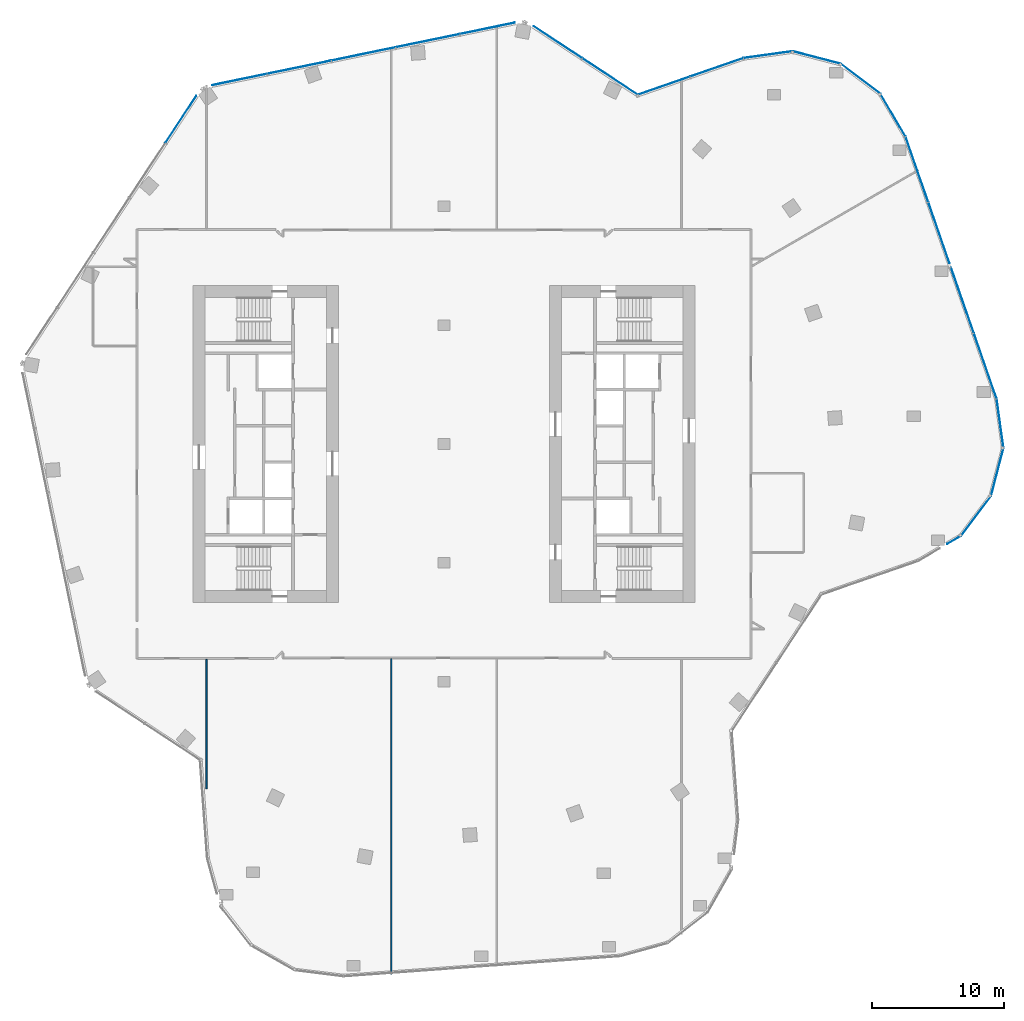
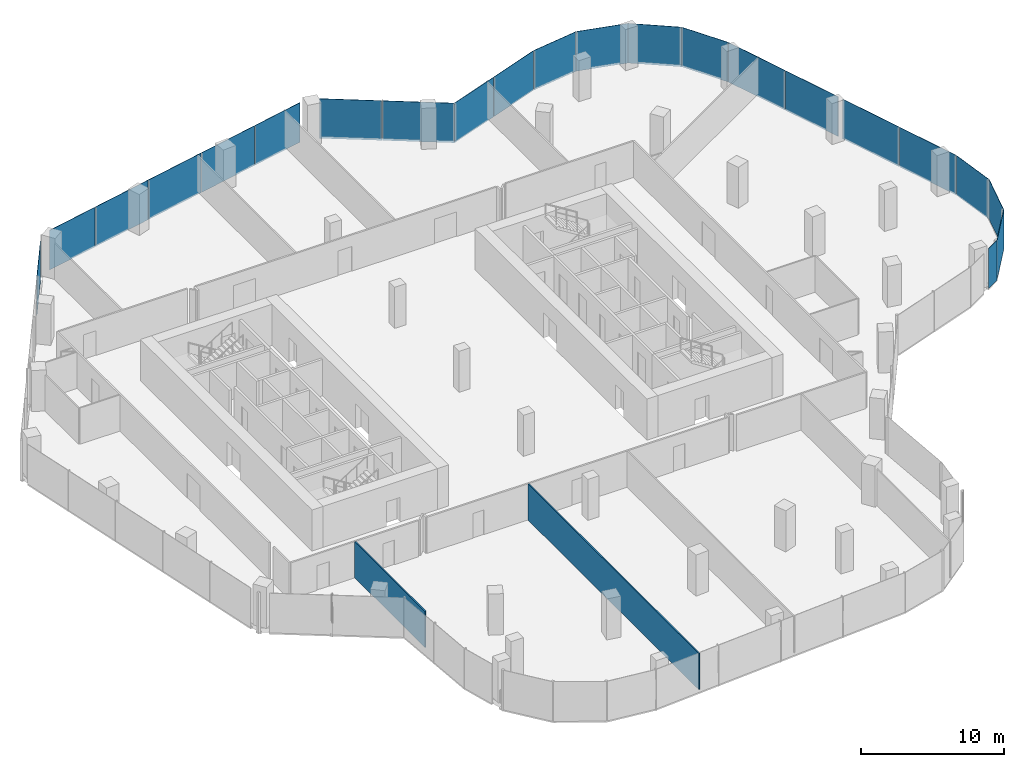
# One storey, part 17 of 24: 22 plates, 2 walls, 13 elements without a shape of their own.
"""IFC4 building model written with IfcOpenShell, lengths in metres."""

from ifc_helpers import new_model, si_unit, direction, frame, frame_2d, origin, origin_2d, place, context, subcontext, project, spatial, rectangle, extrude, material, layer, layer_set, type_object, element, aggregate, save


model = new_model("IFC4")

# Units and contexts
model_context = context("Model", 3, precision=1e-05, world=origin(), true_north=direction((0.0, 1.0)))
body_context = subcontext(model_context, "Body", "Model", "MODEL_VIEW")
ifc_project = project(units=[si_unit("LENGTHUNIT", "METRE"), si_unit("AREAUNIT", "SQUARE_METRE"), si_unit("VOLUMEUNIT", "CUBIC_METRE"), si_unit("PLANEANGLEUNIT", "RADIAN"), si_unit("MASSUNIT", "GRAM", prefix="KILO")], contexts=[model_context])

# Site, building, storey
site_placement = place(None, origin())
site = spatial("IfcSite", under=ifc_project, at=site_placement, CompositionType="ELEMENT")
building_placement = place(site_placement, origin())
building = spatial("IfcBuilding", under=site, at=building_placement, Name="Orlundy Tower", CompositionType="ELEMENT")
storey_placement = place(building_placement, frame((0.0, 0.0, 235.5)))
storey = spatial("IfcBuildingStorey", under=building, at=storey_placement, Name="L62", CompositionType="ELEMENT", Elevation=235.5)

# Curtain wall, plate
ifc_material_1 = material(Name="Aluminium bronze anodised", Category="aluminium")
curtain_wall_type = type_object("IfcCurtainWallType", Name="CW1 wall", PredefinedType="NOTDEFINED", material=ifc_material_1)
curtain_wall_1_placement = place(storey_placement, origin())
curtain_wall_1 = element("IfcCurtainWall", 1, at=curtain_wall_1_placement, inside=storey, type_object=curtain_wall_type, Name="CW1 run 015", PredefinedType="NOTDEFINED")
ifc_material_2 = material(Name="Tinted glass", Category="glass")
ifc_layer_1 = layer(ifc_material_2, 0.031982421875)
ifc_layer_set_1 = layer_set([ifc_layer_1], Name="CW1 glass panel 32")
plate_type = type_object("IfcPlateType", Name="CW1 glass panel 32", PredefinedType="CURTAIN_PANEL", material=ifc_layer_set_1)
plate_1_placement = place(storey_placement, frame((-19.9287109375, 24.592041015625, -0.280029296875), z_axis=(0.0, 0.0, 1.0), x_axis=(0.5495174705, 0.835482225793, 0.0)))
plate_1 = element("IfcPlate", 2, at=plate_1_placement, type_object=plate_type, Name="CW1 panel", PredefinedType="CURTAIN_PANEL", context=body_context, shape_type="SweptSolid", body=[
    extrude(rectangle(XDim=4.229248046875, YDim=0.031982421875, at=origin_2d()), origin(), (0.0, 0.0, 1.0), 3.3798828125),
])
aggregate(curtain_wall_1, [plate_1])

# Curtain wall, plates
curtain_wall_2_placement = place(storey_placement, origin())
curtain_wall_2 = element("IfcCurtainWall", 3, at=curtain_wall_2_placement, inside=storey, type_object=curtain_wall_type, Name="CW1 run 016", PredefinedType="NOTDEFINED")
plate_2_placement = place(storey_placement, frame((-15.496337890625, 27.60009765625, -0.280029296875), z_axis=(0.0, 0.0, 1.0), x_axis=(0.979337428215, 0.202233038095, 0.0)))
plate_2 = element("IfcPlate", 4, at=plate_2_placement, type_object=plate_type, Name="CW1 panel", PredefinedType="CURTAIN_PANEL", context=body_context, shape_type="SweptSolid", body=[
    extrude(rectangle(XDim=4.228271484375, YDim=0.031982421875, at=origin_2d()), origin(), (0.0, 0.0, 1.0), 3.3798828125),
])
plate_3_placement = place(storey_placement, frame((-10.967529296875, 28.535400390625, -0.280029296875), z_axis=(0.0, 0.0, 1.0), x_axis=(0.979337428215, 0.202233038095, 0.0)))
plate_3 = element("IfcPlate", 5, at=plate_3_placement, type_object=plate_type, Name="CW1 panel", PredefinedType="CURTAIN_PANEL", context=body_context, shape_type="SweptSolid", body=[
    extrude(rectangle(XDim=4.92041015625, YDim=0.031982421875, at=origin_2d()), origin(), (0.0, 0.0, 1.0), 3.3798828125),
])
plate_4_placement = place(storey_placement, frame((-6.099609375, 29.54052734375, -0.280029296875), z_axis=(0.0, 0.0, 1.0), x_axis=(0.979337428215, 0.202233038095, 0.0)))
plate_4 = element("IfcPlate", 6, at=plate_4_placement, type_object=plate_type, Name="CW1 panel", PredefinedType="CURTAIN_PANEL", context=body_context, shape_type="SweptSolid", body=[
    extrude(rectangle(XDim=4.92041015625, YDim=0.031982421875, at=origin_2d()), origin(), (0.0, 0.0, 1.0), 3.3798828125),
])
plate_5_placement = place(storey_placement, frame((-1.23193359375, 30.5458984375, -0.280029296875), z_axis=(0.0, 0.0, 1.0), x_axis=(0.979337428215, 0.202233038095, 0.0)))
plate_5 = element("IfcPlate", 7, at=plate_5_placement, type_object=plate_type, Name="CW1 panel", PredefinedType="CURTAIN_PANEL", context=body_context, shape_type="SweptSolid", body=[
    extrude(rectangle(XDim=4.92041015625, YDim=0.031982421875, at=origin_2d()), origin(), (0.0, 0.0, 1.0), 3.3798828125),
])
plate_6_placement = place(storey_placement, frame((3.297119140625, 31.48095703125, -0.280029296875), z_axis=(0.0, 0.0, 1.0), x_axis=(0.979337428215, 0.202233038095, 0.0)))
plate_6 = element("IfcPlate", 8, at=plate_6_placement, type_object=plate_type, Name="CW1 panel", PredefinedType="CURTAIN_PANEL", context=body_context, shape_type="SweptSolid", body=[
    extrude(rectangle(XDim=4.228759765625, YDim=0.031982421875, at=origin_2d()), origin(), (0.0, 0.0, 1.0), 3.3798828125),
])
aggregate(curtain_wall_2, [plate_2, plate_3, plate_4, plate_5, plate_6])

curtain_wall_3_placement = place(storey_placement, origin())
curtain_wall_3 = element("IfcCurtainWall", 9, at=curtain_wall_3_placement, inside=storey, type_object=curtain_wall_type, Name="CW1 run 017", PredefinedType="NOTDEFINED")
plate_7_placement = place(storey_placement, frame((8.620361328125, 30.43359375, -0.280029296875), z_axis=(0.0, 0.0, 1.0), x_axis=(0.835505597573, -0.549481934574, 0.0)))
plate_7 = element("IfcPlate", 10, at=plate_7_placement, type_object=plate_type, Name="CW1 panel", PredefinedType="CURTAIN_PANEL", context=body_context, shape_type="SweptSolid", body=[
    extrude(rectangle(XDim=4.37646484375, YDim=0.031982421875, at=origin_2d()), origin(), (0.0, 0.0, 1.0), 3.3798828125),
])
plate_8_placement = place(storey_placement, frame((12.58447265625, 27.82666015625, -0.280029296875), z_axis=(0.0, 0.0, 1.0), x_axis=(0.835505597573, -0.549481934574, 0.0)))
plate_8 = element("IfcPlate", 11, at=plate_8_placement, type_object=plate_type, Name="CW1 panel", PredefinedType="CURTAIN_PANEL", context=body_context, shape_type="SweptSolid", body=[
    extrude(rectangle(XDim=5.0126953125, YDim=0.031982421875, at=origin_2d()), origin(), (0.0, 0.0, 1.0), 3.3798828125),
])
aggregate(curtain_wall_3, [plate_7, plate_8])

curtain_wall_4_placement = place(storey_placement, origin())
curtain_wall_4 = element("IfcCurtainWall", 12, at=curtain_wall_4_placement, inside=storey, type_object=curtain_wall_type, Name="CW1 run 018", PredefinedType="NOTDEFINED")
plate_9_placement = place(storey_placement, frame((16.643310546875, 27.13232421875, -0.280029296875), z_axis=(0.0, 0.0, 1.0), x_axis=(0.94457424985, 0.328297862498, 0.0)))
plate_9 = element("IfcPlate", 13, at=plate_9_placement, type_object=plate_type, Name="CW1 panel", PredefinedType="CURTAIN_PANEL", context=body_context, shape_type="SweptSolid", body=[
    extrude(rectangle(XDim=4.16015625, YDim=0.031982421875, at=origin_2d()), origin(), (0.0, 0.0, 1.0), 3.3798828125),
])
plate_10_placement = place(storey_placement, frame((20.654052734375, 28.5263671875, -0.280029296875), z_axis=(0.0, 0.0, 1.0), x_axis=(0.94457424985, 0.328297862498, 0.0)))
plate_10 = element("IfcPlate", 14, at=plate_10_placement, type_object=plate_type, Name="CW1 panel", PredefinedType="CURTAIN_PANEL", context=body_context, shape_type="SweptSolid", body=[
    extrude(rectangle(XDim=4.23193359375, YDim=0.031982421875, at=origin_2d()), origin(), (0.0, 0.0, 1.0), 3.3798828125),
])
aggregate(curtain_wall_4, [plate_9, plate_10])

# Curtain wall, plate
curtain_wall_5_placement = place(storey_placement, origin())
curtain_wall_5 = element("IfcCurtainWall", 15, at=curtain_wall_5_placement, inside=storey, type_object=curtain_wall_type, Name="CW1 run 019", PredefinedType="NOTDEFINED")
plate_11_placement = place(storey_placement, frame((24.549072265625, 29.48974609375, -0.280029296875), z_axis=(0.0, 0.0, 1.0), x_axis=(0.99045548405, 0.137832993566, 0.0)))
plate_11 = element("IfcPlate", 16, at=plate_11_placement, type_object=plate_type, Name="CW1 panel", PredefinedType="CURTAIN_PANEL", context=body_context, shape_type="SweptSolid", body=[
    extrude(rectangle(XDim=3.73095703125, YDim=0.031982421875, at=origin_2d()), origin(), (0.0, 0.0, 1.0), 3.3798828125),
])
aggregate(curtain_wall_5, [plate_11])

curtain_wall_6_placement = place(storey_placement, origin())
curtain_wall_6 = element("IfcCurtainWall", 17, at=curtain_wall_6_placement, inside=storey, type_object=curtain_wall_type, Name="CW1 run 020", PredefinedType="NOTDEFINED")
plate_12_placement = place(storey_placement, frame((28.221923828125, 29.271728515625, -0.280029296875), z_axis=(0.0, 0.0, 1.0), x_axis=(0.967731773149, -0.251982569313, 0.0)))
plate_12 = element("IfcPlate", 18, at=plate_12_placement, type_object=plate_type, Name="CW1 panel", PredefinedType="CURTAIN_PANEL", context=body_context, shape_type="SweptSolid", body=[
    extrude(rectangle(XDim=3.77197265625, YDim=0.031982421875, at=origin_2d()), origin(), (0.0, 0.0, 1.0), 3.3798828125),
])
aggregate(curtain_wall_6, [plate_12])

curtain_wall_7_placement = place(storey_placement, origin())
curtain_wall_7 = element("IfcCurtainWall", 19, at=curtain_wall_7_placement, inside=storey, type_object=curtain_wall_type, Name="CW1 run 021", PredefinedType="NOTDEFINED")
plate_13_placement = place(storey_placement, frame((31.55126953125, 27.659423828125, -0.280029296875), z_axis=(0.0, 0.0, 1.0), x_axis=(0.797760617853, -0.602974291826, 0.0)))
plate_13 = element("IfcPlate", 20, at=plate_13_placement, type_object=plate_type, Name="CW1 panel", PredefinedType="CURTAIN_PANEL", context=body_context, shape_type="SweptSolid", body=[
    extrude(rectangle(XDim=3.771728515625, YDim=0.031982421875, at=origin_2d()), origin(), (0.0, 0.0, 1.0), 3.3798828125),
])
aggregate(curtain_wall_7, [plate_13])

curtain_wall_8_placement = place(storey_placement, origin())
curtain_wall_8 = element("IfcCurtainWall", 21, at=curtain_wall_8_placement, inside=storey, type_object=curtain_wall_type, Name="CW1 run 022", PredefinedType="NOTDEFINED")
plate_14_placement = place(storey_placement, frame((34.00048828125, 24.9140625, -0.280029296875), z_axis=(0.0, 0.0, 1.0), x_axis=(0.506418670322, -0.862287730604, 0.0)))
plate_14 = element("IfcPlate", 22, at=plate_14_placement, type_object=plate_type, Name="CW1 panel", PredefinedType="CURTAIN_PANEL", context=body_context, shape_type="SweptSolid", body=[
    extrude(rectangle(XDim=3.72998046875, YDim=0.031982421875, at=origin_2d()), origin(), (0.0, 0.0, 1.0), 3.3798828125),
])
aggregate(curtain_wall_8, [plate_14])

# Curtain wall, plates
curtain_wall_9_placement = place(storey_placement, origin())
curtain_wall_9 = element("IfcCurtainWall", 23, at=curtain_wall_9_placement, inside=storey, type_object=curtain_wall_type, Name="CW1 run 023", PredefinedType="NOTDEFINED")
plate_15_placement = place(storey_placement, frame((35.822021484375, 20.796875, -0.280029296875), z_axis=(0.0, 0.0, 1.0), x_axis=(0.328287898416, -0.944577712924, 0.0)))
plate_15 = element("IfcPlate", 24, at=plate_15_placement, type_object=plate_type, Name="CW1 panel", PredefinedType="CURTAIN_PANEL", context=body_context, shape_type="SweptSolid", body=[
    extrude(rectangle(XDim=5.216064453125, YDim=0.031982421875, at=origin_2d()), origin(), (0.0, 0.0, 1.0), 3.3798828125),
])
plate_16_placement = place(storey_placement, frame((37.49169921875, 15.9931640625, -0.280029296875), z_axis=(0.0, 0.0, 1.0), x_axis=(0.328287898416, -0.944577712924, 0.0)))
plate_16 = element("IfcPlate", 25, at=plate_16_placement, type_object=plate_type, Name="CW1 panel", PredefinedType="CURTAIN_PANEL", context=body_context, shape_type="SweptSolid", body=[
    extrude(rectangle(XDim=4.855224609375, YDim=0.031982421875, at=origin_2d()), origin(), (0.0, 0.0, 1.0), 3.3798828125),
])
plate_17_placement = place(storey_placement, frame((39.271728515625, 10.871337890625, -0.280029296875), z_axis=(0.0, 0.0, 1.0), x_axis=(0.328287898416, -0.944577712924, 0.0)))
plate_17 = element("IfcPlate", 26, at=plate_17_placement, type_object=plate_type, Name="CW1 panel", PredefinedType="CURTAIN_PANEL", context=body_context, shape_type="SweptSolid", body=[
    extrude(rectangle(XDim=5.199951171875, YDim=0.031982421875, at=origin_2d()), origin(), (0.0, 0.0, 1.0), 3.3798828125),
])
plate_18_placement = place(storey_placement, frame((40.997802734375, 5.90478515625, -0.280029296875), z_axis=(0.0, 0.0, 1.0), x_axis=(0.328287898416, -0.944577712924, 0.0)))
plate_18 = element("IfcPlate", 27, at=plate_18_placement, type_object=plate_type, Name="CW1 panel", PredefinedType="CURTAIN_PANEL", context=body_context, shape_type="SweptSolid", body=[
    extrude(rectangle(XDim=5.216064453125, YDim=0.031982421875, at=origin_2d()), origin(), (0.0, 0.0, 1.0), 3.3798828125),
])
aggregate(curtain_wall_9, [plate_15, plate_16, plate_17, plate_18])

# Curtain wall, plate
curtain_wall_10_placement = place(storey_placement, origin())
curtain_wall_10 = element("IfcCurtainWall", 28, at=curtain_wall_10_placement, inside=storey, type_object=curtain_wall_type, Name="CW1 run 024", PredefinedType="NOTDEFINED")
plate_19_placement = place(storey_placement, frame((42.122802734375, 1.544921875, -0.280029296875), z_axis=(0.0, 0.0, 1.0), x_axis=(0.137832993566, -0.99045548405, 0.0)))
plate_19 = element("IfcPlate", 29, at=plate_19_placement, type_object=plate_type, Name="CW1 panel", PredefinedType="CURTAIN_PANEL", context=body_context, shape_type="SweptSolid", body=[
    extrude(rectangle(XDim=3.73095703125, YDim=0.031982421875, at=origin_2d()), origin(), (0.0, 0.0, 1.0), 3.3798828125),
])
aggregate(curtain_wall_10, [plate_19])

curtain_wall_11_placement = place(storey_placement, origin())
curtain_wall_11 = element("IfcCurtainWall", 30, at=curtain_wall_11_placement, inside=storey, type_object=curtain_wall_type, Name="CW1 run 025", PredefinedType="NOTDEFINED")
plate_20_placement = place(storey_placement, frame((41.9052734375, -2.127685546875, -0.280029296875), z_axis=(0.0, 0.0, 1.0), x_axis=(-0.251729885218, -0.967797533004, 0.0)))
plate_20 = element("IfcPlate", 31, at=plate_20_placement, type_object=plate_type, Name="CW1 panel", PredefinedType="CURTAIN_PANEL", context=body_context, shape_type="SweptSolid", body=[
    extrude(rectangle(XDim=3.771728515625, YDim=0.031982421875, at=origin_2d()), origin(), (0.0, 0.0, 1.0), 3.3798828125),
])
aggregate(curtain_wall_11, [plate_20])

curtain_wall_12_placement = place(storey_placement, origin())
curtain_wall_12 = element("IfcCurtainWall", 32, at=curtain_wall_12_placement, inside=storey, type_object=curtain_wall_type, Name="CW1 run 026", PredefinedType="NOTDEFINED")
plate_21_placement = place(storey_placement, frame((40.292724609375, -5.457275390625, -0.280029296875), z_axis=(0.0, 0.0, 1.0), x_axis=(-0.603145948405, -0.797630845017, 0.0)))
plate_21 = element("IfcPlate", 33, at=plate_21_placement, type_object=plate_type, Name="CW1 panel", PredefinedType="CURTAIN_PANEL", context=body_context, shape_type="SweptSolid", body=[
    extrude(rectangle(XDim=3.7724609375, YDim=0.031982421875, at=origin_2d()), origin(), (0.0, 0.0, 1.0), 3.3798828125),
])
aggregate(curtain_wall_12, [plate_21])

curtain_wall_13_placement = place(storey_placement, origin())
curtain_wall_13 = element("IfcCurtainWall", 34, at=curtain_wall_13_placement, inside=storey, type_object=curtain_wall_type, Name="CW1 run 027", PredefinedType="NOTDEFINED")
plate_22_placement = place(storey_placement, frame((38.63916015625, -7.264892578125, -0.280029296875), z_axis=(0.0, 0.0, 1.0), x_axis=(-0.862287730604, -0.506418670322, 0.0)))
plate_22 = element("IfcPlate", 35, at=plate_22_placement, type_object=plate_type, Name="CW1 panel", PredefinedType="CURTAIN_PANEL", context=body_context, shape_type="SweptSolid", body=[
    extrude(rectangle(XDim=1.197021484375, YDim=0.031982421875, at=origin_2d()), origin(), (0.0, 0.0, 1.0), 3.3798828125),
])
aggregate(curtain_wall_13, [plate_22])

# Walls
ifc_material_3 = material(Name="Gypsum board partition")
ifc_layer_2 = layer(ifc_material_3, 0.10009765625)
ifc_layer_set_2 = layer_set([ifc_layer_2], Name="Floor partition 100")
wall_type = type_object("IfcWallType", Name="Floor partition 100", PredefinedType="PARTITIONING", material=ifc_layer_set_2)
wall_1_placement = place(storey_placement, frame((-4.0, -40.14697265625, 0.0), z_axis=(0.0, 0.0, 1.0), x_axis=(0.0, 1.0, 0.0)))
element("IfcWall", 36, at=wall_1_placement, inside=storey, type_object=wall_type, Name="wall-int-L62-031", PredefinedType="PARTITIONING", context=body_context, shape_type="SweptSolid", body=[
    extrude(rectangle(XDim=23.885009765625, YDim=0.10009765625, at=frame_2d((11.9423828125, 0.0))), origin(), (0.0, 0.0, 1.0), 3.080078125),
])
wall_2_placement = place(storey_placement, frame((-18.0, -26.116943359375, 0.0), z_axis=(0.0, 0.0, 1.0), x_axis=(0.0, 1.0, 0.0)))
element("IfcWall", 37, at=wall_2_placement, inside=storey, type_object=wall_type, Name="wall-int-L62-033", PredefinedType="PARTITIONING", context=body_context, shape_type="SweptSolid", body=[
    extrude(rectangle(XDim=9.804931640625, YDim=0.10009765625, at=frame_2d((4.90234375, 0.0))), origin(), (0.0, 0.0, 1.0), 3.080078125),
])

save(model, "model.ifc")
